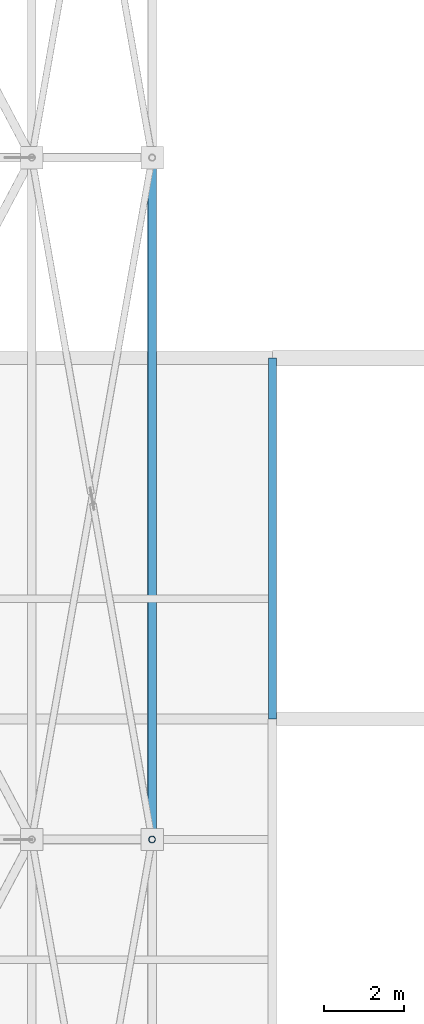
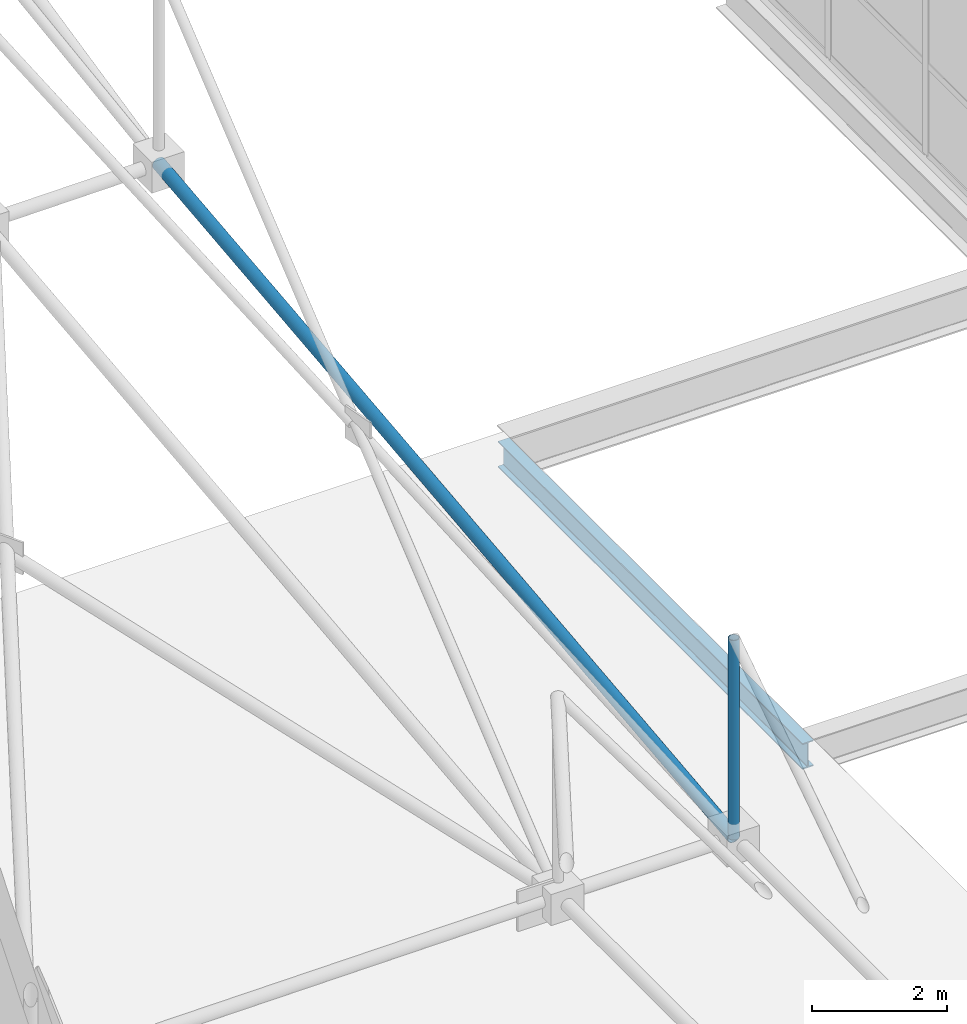
# One storey, part 144 of 224: 2 members, 1 beam.
"""IFC4 building model written with IfcOpenShell, lengths in metres."""

import ifcopenshell
import ifcopenshell.guid

model = None  # the IFC model being written
_history = None  # IfcOwnerHistory: only IFC2X3 demands one
_inside = {}  # id of a spatial element -> (the spatial element, [elements in it])
_under = {}  # id of a project, library or spatial element -> (it, [spatial elements below it])
_declared = {}  # id of a project -> (the project, [libraries it declares])
_typed = {}  # id of a type object -> (the type object, [elements of that type])
_made_of = {}  # id of a material, layer set ... -> (it, [elements and type objects made of it])


def new_model(schema):
    """Start an empty IFC model of exactly this schema.

    Asked for "IFC4X3", IfcOpenShell would pick the latest addendum, in which some entities
    have other attributes; the version numbers below select the first issue.
    IFC2X3 requires an IfcOwnerHistory on every rooted entity: one is made here for all.
    """
    global model, _history
    if schema == "IFC4X3":
        model = ifcopenshell.file(schema_version=(4, 3, 0, 0))
    else:
        model = ifcopenshell.file(schema=schema)
    _inside.clear()
    _under.clear()
    _declared.clear()
    _typed.clear()
    _made_of.clear()
    _history = None
    if model.schema == "IFC2X3":
        org = make("IfcOrganization", Name="unknown")
        user = make(
            "IfcPersonAndOrganization",
            ThePerson=make("IfcPerson", FamilyName="unknown"),
            TheOrganization=org,
        )
        app = make(
            "IfcApplication",
            ApplicationDeveloper=org,
            Version="unknown",
            ApplicationFullName="unknown",
            ApplicationIdentifier="unknown",
        )
        _history = make(
            "IfcOwnerHistory",
            OwningUser=user,
            OwningApplication=app,
            ChangeAction="ADDED",
            CreationDate=0,
        )
    return model


def make(cls, **values):
    """One entity of the class cls with the attributes given. An attribute that is None is left unset."""
    return model.create_entity(
        cls, **{name: value for name, value in values.items() if value is not None}
    )


def rooted(cls, **values):
    """An entity with a GlobalId (a new one), such as an element, a storey or a relation."""
    return make(cls, GlobalId=ifcopenshell.guid.new(), OwnerHistory=_history, **values)


def si_unit(unit_type, name, prefix=None):
    """IfcSIUnit, for example si_unit("LENGTHUNIT", "METRE", prefix="MILLI")."""
    return make("IfcSIUnit", UnitType=unit_type, Prefix=prefix, Name=name)


def assignment(units):
    """IfcUnitAssignment: the units of a project."""
    return None if units is None else make("IfcUnitAssignment", Units=units)


def point(xyz):
    """IfcCartesianPoint."""
    return None if xyz is None else make("IfcCartesianPoint", Coordinates=xyz)


def direction(xyz):
    """IfcDirection."""
    return None if xyz is None else make("IfcDirection", DirectionRatios=xyz)


def frame(location, z_axis=None, x_axis=None):
    """IfcAxis2Placement3D, a coordinate frame: its origin and axes. An axis left out is left unset."""
    return make(
        "IfcAxis2Placement3D",
        Location=point(location),
        Axis=direction(z_axis),
        RefDirection=direction(x_axis),
    )


def frame_2d(location, x_axis=None):
    """IfcAxis2Placement2D, a coordinate frame in the plane: its origin and x axis."""
    return make(
        "IfcAxis2Placement2D", Location=point(location), RefDirection=direction(x_axis)
    )


def origin():
    """The frame at (0, 0, 0) with its axes left unset."""
    return frame((0.0, 0.0, 0.0))


def origin_2d():
    """The frame at (0, 0) in the plane with its x axis left unset."""
    return frame_2d((0.0, 0.0))


def place(relative_to, where):
    """IfcLocalPlacement: puts the frame where relative to a parent placement (None: the world)."""
    return make(
        "IfcLocalPlacement", PlacementRelTo=relative_to, RelativePlacement=where
    )


def context(
    kind, dimensions, precision=None, world=None, true_north=None, identifier=None
):
    """IfcGeometricRepresentationContext, for example the 3D "Model" context."""
    return make(
        "IfcGeometricRepresentationContext",
        ContextIdentifier=identifier,
        ContextType=kind,
        CoordinateSpaceDimension=dimensions,
        Precision=precision,
        WorldCoordinateSystem=world,
        TrueNorth=true_north,
    )


def subcontext(parent, identifier, kind, view, scale=None):
    """IfcGeometricRepresentationSubContext, for example "Body" below "Model"."""
    return make(
        "IfcGeometricRepresentationSubContext",
        ContextIdentifier=identifier,
        ContextType=kind,
        ParentContext=parent,
        TargetScale=scale,
        TargetView=view,
    )


def project(units=None, contexts=None):
    """IfcProject with its units and contexts."""
    return rooted(
        "IfcProject",
        Name="project",
        RepresentationContexts=contexts,
        UnitsInContext=assignment(units),
    )


def spatial(cls, under=None, at=None, **own):
    """A site, building, storey or space (cls), placed at a placement, below another one or the project."""
    s = rooted(cls, ObjectPlacement=at, **own)
    if under is not None:
        _under.setdefault(under.id(), (under, []))[1].append(s)
    return s


def profile(cls, at=None, kind="AREA", **sizes):
    """A parametric profile (cls). Its sizes go by their IFC names, for example OverallWidth=200.0."""
    return make(cls, ProfileType=kind, Position=at, **sizes)


def hollow_circle(**sizes):
    """IfcCircleHollowProfileDef."""
    return profile("IfcCircleHollowProfileDef", **sizes)


def i_section(**sizes):
    """IfcIShapeProfileDef."""
    return profile("IfcIShapeProfileDef", **sizes)


def extrude(swept, where, along, depth):
    """IfcExtrudedAreaSolid: the profile swept, set in the frame where, extruded along a direction by depth."""
    return make(
        "IfcExtrudedAreaSolid",
        SweptArea=swept,
        Position=where,
        ExtrudedDirection=direction(along),
        Depth=depth,
    )


def shape(context_of_items, identifier, shape_type, items):
    """IfcShapeRepresentation: the items that make up one representation, for example the "Body"."""
    return make(
        "IfcShapeRepresentation",
        ContextOfItems=context_of_items,
        RepresentationIdentifier=identifier,
        RepresentationType=shape_type,
        Items=items,
    )


def material(Name=None, Category=None):
    """IfcMaterial."""
    return make("IfcMaterial", Name=Name, Category=Category)


def material_profile(
    of_material, cross_section, Name=None, Category=None, Priority=None
):
    """IfcMaterialProfile: a cross section and its material."""
    return make(
        "IfcMaterialProfile",
        Name=Name,
        Material=of_material,
        Profile=cross_section,
        Priority=Priority,
        Category=Category,
    )


def profile_set(profiles, Name=None, composite=None):
    """IfcMaterialProfileSet."""
    return make(
        "IfcMaterialProfileSet",
        Name=Name,
        MaterialProfiles=profiles,
        CompositeProfile=composite,
    )


def made_of(thing, what):
    """Note that an element or type object is made of a material, layer set ...; save() writes the relation."""
    if what is not None:
        _made_of.setdefault(what.id(), (what, []))[1].append(thing)
    return thing


def type_object(cls, material=None, **own):
    """A type object (cls), such as IfcWallType, which elements share."""
    return made_of(rooted(cls, **own), material)


def element(
    cls,
    number,
    at=None,
    inside=None,
    cuts=None,
    type_object=None,
    material=None,
    context=None,
    identifier="Body",
    shape_type=None,
    held_by="IfcProductDefinitionShape",
    body=None,
    shapes=None,
    **own,
):
    """One element of the class cls, such as IfcWall. Its Tag is "e" and its number.

    at: its placement. inside: the storey or other place that contains it. cuts: it is an
    opening in that element (IfcRelVoidsElement). A single representation is given by context,
    identifier, shape_type and body (its items); several are given by shapes. held_by: the class
    of the entity that holds the representations. save() writes the other relations.
    """
    e = rooted(cls, Tag="e%d" % number, ObjectPlacement=at, **own)
    if body is not None:
        shapes = [shape(context, identifier, shape_type, body)]
    if shapes is not None:
        e.Representation = make(held_by, Representations=shapes)
    if inside is not None:
        _inside.setdefault(inside.id(), (inside, []))[1].append(e)
    if cuts is not None:
        rooted(
            "IfcRelVoidsElement", RelatingBuildingElement=cuts, RelatedOpeningElement=e
        )
    if type_object is not None:
        _typed.setdefault(type_object.id(), (type_object, []))[1].append(e)
    return made_of(e, material)


def aggregate(whole, parts):
    """IfcRelAggregates: a whole, such as a stair, and the parts it consists of."""
    return rooted("IfcRelAggregates", RelatingObject=whole, RelatedObjects=parts)


def save(model, path):
    """Write the relations noted so far, then the file.

    IfcRelAggregates (storeys below a building ...), IfcRelContainedInSpatialStructure (elements
    in a storey), IfcRelDefinesByType, IfcRelAssociatesMaterial and IfcRelDeclares: one each for
    every whole, place, type object, material and project.
    """
    for whole, parts in _under.values():
        aggregate(whole, parts)
    for where, things in _inside.values():
        rooted(
            "IfcRelContainedInSpatialStructure",
            RelatedElements=things,
            RelatingStructure=where,
        )
    for kind, things in _typed.values():
        rooted("IfcRelDefinesByType", RelatedObjects=things, RelatingType=kind)
    for what, things in _made_of.values():
        rooted("IfcRelAssociatesMaterial", RelatedObjects=things, RelatingMaterial=what)
    for by, libraries in _declared.values():
        rooted("IfcRelDeclares", RelatingContext=by, RelatedDefinitions=libraries)
    model.write(path)


model = new_model("IFC4")

# Units and contexts
model_context = context("Model", 3, precision=1e-05, world=origin(), true_north=direction((0.0, 1.0)))
body_context = subcontext(model_context, "Body", "Model", "MODEL_VIEW")
ifc_project = project(units=[si_unit("LENGTHUNIT", "METRE"), si_unit("AREAUNIT", "SQUARE_METRE"), si_unit("VOLUMEUNIT", "CUBIC_METRE"), si_unit("PLANEANGLEUNIT", "RADIAN"), si_unit("MASSUNIT", "GRAM", prefix="KILO")], contexts=[model_context])

# Site, building, storey
site_placement = place(None, origin())
site = spatial("IfcSite", under=ifc_project, at=site_placement, CompositionType="ELEMENT")
building_placement = place(site_placement, origin())
building = spatial("IfcBuilding", under=site, at=building_placement, Name="Qamarlyn Nura Convention Centre", CompositionType="ELEMENT")
storey_placement = place(building_placement, frame((0.0, 0.0, 10.800048828125)))
storey = spatial("IfcBuildingStorey", under=building, at=storey_placement, Name="L02", CompositionType="ELEMENT", Elevation=10.800048828125)

# Beam
ifc_material_1 = material(Name="Steel ASTM A992", Category="steel")
ifc_material_profile_1 = material_profile(ifc_material_1, i_section(OverallWidth=0.193115234375, OverallDepth=0.466064453125, WebThickness=0.011474609375, FlangeThickness=0.01904296875, FilletRadius=0.012939453125, at=origin_2d()), Name="W460X97")
ifc_profile_set_1 = profile_set([ifc_material_profile_1], Name="Steel ASTM A992")
beam_type = type_object("IfcBeamType", Name="BM-SPAN-460", PredefinedType="SPANDREL", material=ifc_profile_set_1)
beam_placement = place(storey_placement, frame((135.0, 72.0, -0.3779296875), z_axis=(0.0, 1.0, 0.0), x_axis=(-1.0, 0.0, 0.0)))
element("IfcBeam", 1, at=beam_placement, inside=storey, type_object=beam_type, Name="L02 girder 11 J-K", PredefinedType="SPANDREL", context=body_context, shape_type="SweptSolid", body=[
    extrude(i_section(OverallWidth=0.193115234375, OverallDepth=0.466064453125, WebThickness=0.011474609375, FlangeThickness=0.01904296875, FilletRadius=0.012939453125, at=origin_2d()), origin(), (0.0, 0.0, 1.0), 9.0),
])

# Members
ifc_material_2 = material(Name="Pearl-white PVDF steel ASTM A500 Grade C", Category="steel")
ifc_material_profile_2 = material_profile(ifc_material_2, hollow_circle(Radius=0.109619140625, WallThickness=0.010009765625, at=origin_2d()), Name="CHS219.1X10")
ifc_profile_set_2 = profile_set([ifc_material_profile_2], Name="Pearl-white PVDF steel ASTM A500 Grade C")
member_type_1 = type_object("IfcMemberType", Name="SF-BC-EAVE", PredefinedType="CHORD", material=ifc_profile_set_2)
member_1_placement = place(storey_placement, frame((132.0, 69.0, 1.0107421875), z_axis=(0.0, 0.994150129904, 0.108007033156), x_axis=(-1.0, 0.0, 0.0)))
element("IfcMember", 2, at=member_1_placement, inside=storey, type_object=member_type_1, Name="ROOF TRUSS space frame bottom chord Y12-5", PredefinedType="CHORD", context=body_context, shape_type="SweptSolid", body=[
    extrude(hollow_circle(Radius=0.109619140625, WallThickness=0.010009765625, at=origin_2d()), origin(), (0.0, 0.0, 1.0), 17.10009765625),
])
ifc_material_profile_3 = material_profile(ifc_material_2, hollow_circle(Radius=0.084228515625, WallThickness=0.008056640625, at=origin_2d()), Name="CHS168.3X8")
ifc_profile_set_3 = profile_set([ifc_material_profile_3], Name="Pearl-white PVDF steel ASTM A500 Grade C")
member_type_2 = type_object("IfcMemberType", Name="SF-WEB-STD", PredefinedType="BRACE", material=ifc_profile_set_3)
member_2_placement = place(storey_placement, frame((132.0, 69.0, 1.0107421875), z_axis=(0.0, 0.0, 1.0), x_axis=(1.0, 0.0, 0.0)))
element("IfcMember", 3, at=member_2_placement, inside=storey, type_object=member_type_2, Name="ROOF TRUSS space frame vertical 12-5", PredefinedType="BRACE", context=body_context, shape_type="SweptSolid", body=[
    extrude(hollow_circle(Radius=0.084228515625, WallThickness=0.008056640625, at=origin_2d()), origin(), (0.0, 0.0, 1.0), 3.599853515625),
])

save(model, "model.ifc")
